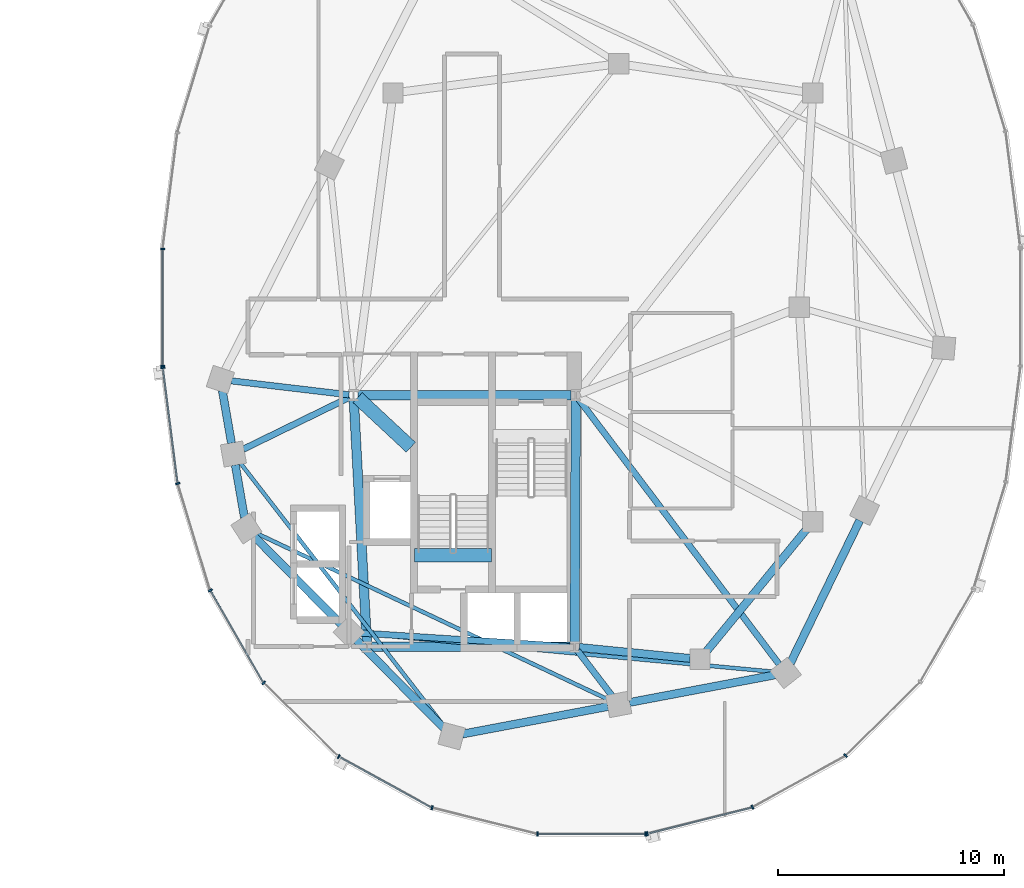
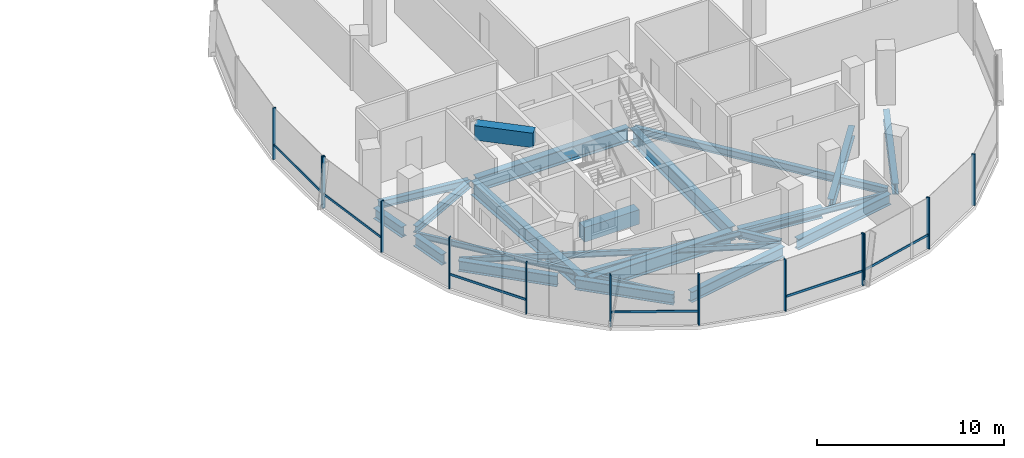
# One storey, part 6 of 22: 23 beams, 19 members, 3 elements without a shape of their own.
"""IFC4 building model written with IfcOpenShell, lengths in metres."""

from ifc_helpers import new_model, si_unit, direction, frame, origin, origin_2d, place, context, subcontext, project, spatial, rectangle, i_section, extrude, material, material_profile, profile_set, type_object, element, aggregate, save


model = new_model("IFC4")

# Units and contexts
model_context = context("Model", 3, precision=1e-05, world=origin(), true_north=direction((0.0, 1.0)))
body_context = subcontext(model_context, "Body", "Model", "MODEL_VIEW")
ifc_project = project(units=[si_unit("LENGTHUNIT", "METRE"), si_unit("AREAUNIT", "SQUARE_METRE"), si_unit("VOLUMEUNIT", "CUBIC_METRE"), si_unit("PLANEANGLEUNIT", "RADIAN"), si_unit("MASSUNIT", "GRAM", prefix="KILO"), si_unit("THERMODYNAMICTEMPERATUREUNIT", "KELVIN"), si_unit("POWERUNIT", "WATT")], contexts=[model_context])

# Site, building, storey
site_placement = place(None, origin())
site = spatial("IfcSite", under=ifc_project, at=site_placement, CompositionType="ELEMENT")
building_placement = place(site_placement, origin())
building = spatial("IfcBuilding", under=site, at=building_placement, Name="Cundina Bronze Exchange", CompositionType="ELEMENT")
storey_placement = place(building_placement, frame((0.0, 0.0, 140.39990234375)))
storey = spatial("IfcBuildingStorey", under=building, at=storey_placement, Name="L36", CompositionType="ELEMENT", Elevation=140.39990234375)

# Beams
ifc_material_1 = material(Name="Concrete C60/75", Category="concrete")
ifc_material_profile_1 = material_profile(ifc_material_1, rectangle(XDim=0.60009765625, YDim=0.949951171875, at=origin_2d()), Name="RC600X950", Category="concrete")
ifc_profile_set_1 = profile_set([ifc_material_profile_1], Name="Concrete C60/75")
beam_type_1 = type_object("IfcBeamType", Name="BM-COUP-RC950", PredefinedType="LINTEL", material=ifc_profile_set_1)
beam_1_placement = place(storey_placement, frame((24.159912109375, -10.97998046875, -0.474853515625), z_axis=(1.0, 0.0, 0.0), x_axis=(0.0, 1.0, 0.0)))
element("IfcBeam", 1, at=beam_1_placement, inside=storey, type_object=beam_type_1, Name="L36 Stair E2 Landing Header Beam", PredefinedType="LINTEL", context=body_context, shape_type="SweptSolid", body=[
    extrude(rectangle(XDim=0.60009765625, YDim=0.949951171875, at=origin_2d()), origin(), (0.0, 0.0, 1.0), 3.400146484375),
])
beam_2_placement = place(storey_placement, frame((21.6298828125, -4.0, 2.885009765625), z_axis=(0.731490439815, -0.681851696822, 0.0), x_axis=(0.681851696822, 0.731490439815, 0.0)))
element("IfcBeam", 2, at=beam_2_placement, inside=storey, type_object=beam_type_1, Name="L36 E Core Shear Coupling Lintel Beam", PredefinedType="LINTEL", context=body_context, shape_type="SweptSolid", body=[
    extrude(rectangle(XDim=0.60009765625, YDim=0.949951171875, at=origin_2d()), origin(), (0.0, 0.0, 1.0), 3.226318359375),
])
ifc_material_2 = material(Name="Steel ASTM A992 Grade 50", Category="steel")
ifc_material_profile_2 = material_profile(ifc_material_2, i_section(OverallWidth=0.280029296875, OverallDepth=0.462890625, WebThickness=0.0107421875, FlangeThickness=0.017333984375, FilletRadius=0.011962890625, at=origin_2d()), Name="W18X76", Category="steel")
ifc_profile_set_2 = profile_set([ifc_material_profile_2], Name="Steel ASTM A992 Grade 50")
beam_type_2 = type_object("IfcBeamType", Name="BM-FLR-W18A", PredefinedType="BEAM", material=ifc_profile_set_2)
beam_3_placement = place(storey_placement, frame((21.247314453125, -3.8759765625, -0.471435546875), z_axis=(-0.993036158382, 0.11780996624, 0.0), x_axis=(-0.11780996624, -0.993036158382, 0.0)))
element("IfcBeam", 3, at=beam_3_placement, inside=storey, type_object=beam_type_2, Name="L36 Leg E Chordal Floor Beam 00", PredefinedType="BEAM", context=body_context, shape_type="SweptSolid", body=[
    extrude(i_section(OverallWidth=0.280029296875, OverallDepth=0.462890625, WebThickness=0.0107421875, FlangeThickness=0.017333984375, FilletRadius=0.011962890625, at=origin_2d()), origin(), (0.0, 0.0, 1.0), 5.249267578125),
])
beam_4_placement = place(storey_placement, frame((21.2666015625, -3.989501953125, -0.471435546875), z_axis=(-0.898604300669, -0.438759969481, 0.0), x_axis=(0.438759969481, -0.898604300669, 0.0)))
element("IfcBeam", 4, at=beam_4_placement, inside=storey, type_object=beam_type_2, Name="L36 Leg E Chordal Floor Beam 01", PredefinedType="BEAM", context=body_context, shape_type="SweptSolid", body=[
    extrude(i_section(OverallWidth=0.280029296875, OverallDepth=0.462890625, WebThickness=0.0107421875, FlangeThickness=0.017333984375, FilletRadius=0.011962890625, at=origin_2d()), origin(), (0.0, 0.0, 1.0), 5.23388671875),
])
beam_5_placement = place(storey_placement, frame((31.04638671875, -15.036865234375, -0.471435546875), z_axis=(-0.99789334888, 0.064875760192, 0.0), x_axis=(-0.064875760192, -0.99789334888, 0.0)))
element("IfcBeam", 5, at=beam_5_placement, inside=storey, type_object=beam_type_2, Name="L36 Leg E Chordal Floor Beam 03", PredefinedType="BEAM", context=body_context, shape_type="SweptSolid", body=[
    extrude(i_section(OverallWidth=0.280029296875, OverallDepth=0.462890625, WebThickness=0.0107421875, FlangeThickness=0.017333984375, FilletRadius=0.011962890625, at=origin_2d()), origin(), (0.0, 0.0, 1.0), 9.328857421875),
])
beam_6_placement = place(storey_placement, frame((31.373779296875, -15.2119140625, -0.471435546875), z_axis=(0.607450107571, -0.794357832977, 0.0), x_axis=(0.794357832977, 0.607450107571, 0.0)))
element("IfcBeam", 6, at=beam_6_placement, inside=storey, type_object=beam_type_2, Name="L36 Leg E Chordal Floor Beam 05", PredefinedType="BEAM", context=body_context, shape_type="SweptSolid", body=[
    extrude(i_section(OverallWidth=0.280029296875, OverallDepth=0.462890625, WebThickness=0.0107421875, FlangeThickness=0.017333984375, FilletRadius=0.011962890625, at=origin_2d()), origin(), (0.0, 0.0, 1.0), 2.518310546875),
])
beam_7_placement = place(storey_placement, frame((31.423095703125, -4.062744140625, -0.471435546875), z_axis=(0.603103901721, -0.797662637792, 0.0), x_axis=(0.797662637792, 0.603103901721, 0.0)))
element("IfcBeam", 7, at=beam_7_placement, inside=storey, type_object=beam_type_2, Name="L36 Leg E Chordal Floor Beam 06", PredefinedType="BEAM", context=body_context, shape_type="SweptSolid", body=[
    extrude(i_section(OverallWidth=0.280029296875, OverallDepth=0.462890625, WebThickness=0.0107421875, FlangeThickness=0.017333984375, FilletRadius=0.011962890625, at=origin_2d()), origin(), (0.0, 0.0, 1.0), 14.72802734375),
])
ifc_material_profile_3 = material_profile(ifc_material_2, i_section(OverallWidth=0.172119140625, OverallDepth=0.35791015625, WebThickness=0.0078125, FlangeThickness=0.01318359375, FilletRadius=0.010009765625, at=origin_2d()), Name="W14X38", Category="steel")
ifc_profile_set_3 = profile_set([ifc_material_profile_3], Name="Steel ASTM A992 Grade 50")
beam_type_3 = type_object("IfcBeamType", Name="BM-JST-W14", PredefinedType="JOIST", material=ifc_profile_set_3)
beam_8_placement = place(storey_placement, frame((16.423583984375, -6.885986328125, -0.4189453125), z_axis=(0.61208354334, -0.790793105668, 0.0), x_axis=(0.790793105668, 0.61208354334, 0.0)))
element("IfcBeam", 8, at=beam_8_placement, inside=storey, type_object=beam_type_3, Name="L36 Leg E Lobe Floor Joist 01-04", PredefinedType="JOIST", context=body_context, shape_type="SweptSolid", body=[
    extrude(i_section(OverallWidth=0.172119140625, OverallDepth=0.35791015625, WebThickness=0.0078125, FlangeThickness=0.01318359375, FilletRadius=0.010009765625, at=origin_2d()), origin(), (0.0, 0.0, 1.0), 14.830810546875),
])
beam_9_placement = place(storey_placement, frame((17.14111328125, -10.008544921875, -0.4189453125), z_axis=(0.904074252188, -0.427375416385, 0.0), x_axis=(0.427375416385, 0.904074252188, 0.0)))
element("IfcBeam", 9, at=beam_9_placement, inside=storey, type_object=beam_type_3, Name="L36 Leg E Lobe Floor Joist 02-05", PredefinedType="JOIST", context=body_context, shape_type="SweptSolid", body=[
    extrude(i_section(OverallWidth=0.172119140625, OverallDepth=0.35791015625, WebThickness=0.0078125, FlangeThickness=0.01318359375, FilletRadius=0.010009765625, at=origin_2d()), origin(), (0.0, 0.0, 1.0), 17.274658203125),
])
beam_10_placement = place(storey_placement, frame((21.73583984375, -14.4453125, -0.4189453125), z_axis=(0.995701840093, -0.092616659595, 0.0), x_axis=(0.092616659595, 0.995701840093, 0.0)))
element("IfcBeam", 10, at=beam_10_placement, inside=storey, type_object=beam_type_3, Name="L36 Leg E Lobe Floor Joist 03-06", PredefinedType="JOIST", context=body_context, shape_type="SweptSolid", body=[
    extrude(i_section(OverallWidth=0.172119140625, OverallDepth=0.35791015625, WebThickness=0.0078125, FlangeThickness=0.01318359375, FilletRadius=0.010009765625, at=origin_2d()), origin(), (0.0, 0.0, 1.0), 18.45751953125),
])
ifc_material_profile_4 = material_profile(ifc_material_2, i_section(OverallWidth=0.35498046875, OverallDepth=0.695068359375, WebThickness=0.015380859375, FlangeThickness=0.02490234375, FilletRadius=0.01806640625, at=origin_2d()), Name="W27X146", Category="steel")
ifc_profile_set_4 = profile_set([ifc_material_profile_4], Name="Steel ASTM A992 Grade 50")
beam_type_4 = type_object("IfcBeamType", Name="BM-RING-W27", PredefinedType="USERDEFINED", material=ifc_profile_set_4)
beam_11_placement = place(storey_placement, frame((31.452880859375, -15.070068359375, -0.58740234375), z_axis=(0.995123020608, -0.098641643622, 0.0), x_axis=(0.098641643622, 0.995123020608, 0.0)))
element("IfcBeam", 11, at=beam_11_placement, inside=storey, type_object=beam_type_4, Name="L36 E Inner Structural Ring Girder 01", ObjectType="GIRDER", PredefinedType="USERDEFINED", context=body_context, shape_type="SweptSolid", body=[
    extrude(i_section(OverallWidth=0.35498046875, OverallDepth=0.695068359375, WebThickness=0.015380859375, FlangeThickness=0.02490234375, FilletRadius=0.01806640625, at=origin_2d()), origin(), (0.0, 0.0, 1.0), 4.935302734375),
])
beam_12_placement = place(storey_placement, frame((37.07763671875, -15.26123046875, -0.58740234375), z_axis=(0.633912590175, 0.77340469873, 0.0), x_axis=(-0.77340469873, 0.633912590175, 0.0)))
element("IfcBeam", 12, at=beam_12_placement, inside=storey, type_object=beam_type_4, Name="L36 E Inner Structural Ring Girder 02", ObjectType="GIRDER", PredefinedType="USERDEFINED", context=body_context, shape_type="SweptSolid", body=[
    extrude(i_section(OverallWidth=0.35498046875, OverallDepth=0.695068359375, WebThickness=0.015380859375, FlangeThickness=0.02490234375, FilletRadius=0.01806640625, at=origin_2d()), origin(), (0.0, 0.0, 1.0), 7.01123046875),
])
for number, where, z_axis, x_axis, name in (
    (13, (15.6337890625, -3.680908203125, -0.58740234375), (0.171666718895, -0.985155083032, 0.0), (0.985155083032, 0.171666718895, 0.0), "L36 E Perimeter Ring Girder 00"),
    (14, (16.208740234375, -6.980712890625, -0.58740234375), (0.171666718895, -0.985155083032, 0.0), (0.985155083032, 0.171666718895, 0.0), "L36 E Perimeter Ring Girder 01"),
):
    element("IfcBeam", number, at=place(storey_placement, frame(where, z_axis=z_axis, x_axis=x_axis)), inside=storey, type_object=beam_type_4, Name=name, ObjectType="GIRDER", PredefinedType="USERDEFINED", context=body_context, shape_type="SweptSolid", body=[
        extrude(i_section(OverallWidth=0.35498046875, OverallDepth=0.695068359375, WebThickness=0.015380859375, FlangeThickness=0.02490234375, FilletRadius=0.01806640625, at=origin_2d()), origin(), (0.0, 0.0, 1.0), 2.37353515625),
    ])
beam_13_placement = place(storey_placement, frame((17.043212890625, -10.14697265625, -0.58740234375), z_axis=(0.703230112979, -0.710962311378, 0.0), x_axis=(0.710962311378, 0.703230112979, 0.0)))
element("IfcBeam", 15, at=beam_13_placement, inside=storey, type_object=beam_type_4, Name="L36 E Perimeter Ring Girder 02", ObjectType="GIRDER", PredefinedType="USERDEFINED", context=body_context, shape_type="SweptSolid", body=[
    extrude(i_section(OverallWidth=0.35498046875, OverallDepth=0.695068359375, WebThickness=0.015380859375, FlangeThickness=0.02490234375, FilletRadius=0.01806640625, at=origin_2d()), origin(), (0.0, 0.0, 1.0), 5.493896484375),
])
beam_14_placement = place(storey_placement, frame((21.59326171875, -14.746826171875, -0.58740234375), z_axis=(0.703207895705, -0.710984286337, 0.0), x_axis=(0.710984286337, 0.703207895705, 0.0)))
element("IfcBeam", 16, at=beam_14_placement, inside=storey, type_object=beam_type_4, Name="L36 E Perimeter Ring Girder 03", ObjectType="GIRDER", PredefinedType="USERDEFINED", context=body_context, shape_type="SweptSolid", body=[
    extrude(i_section(OverallWidth=0.35498046875, OverallDepth=0.695068359375, WebThickness=0.015380859375, FlangeThickness=0.02490234375, FilletRadius=0.01806640625, at=origin_2d()), origin(), (0.0, 0.0, 1.0), 5.494140625),
])
beam_15_placement = place(storey_placement, frame((26.279541015625, -18.9091796875, -0.58740234375), z_axis=(0.982571532667, 0.185884865421, 0.0), x_axis=(-0.185884865421, 0.982571532667, 0.0)))
element("IfcBeam", 17, at=beam_15_placement, inside=storey, type_object=beam_type_4, Name="L36 E Perimeter Ring Girder 04", ObjectType="GIRDER", PredefinedType="USERDEFINED", context=body_context, shape_type="SweptSolid", body=[
    extrude(i_section(OverallWidth=0.35498046875, OverallDepth=0.695068359375, WebThickness=0.015380859375, FlangeThickness=0.02490234375, FilletRadius=0.01806640625, at=origin_2d()), origin(), (0.0, 0.0, 1.0), 6.55517578125),
])
beam_16_placement = place(storey_placement, frame((33.679443359375, -17.50927734375, -0.58740234375), z_axis=(0.982572819495, 0.185878063226, 0.0), x_axis=(-0.185878063226, 0.982572819495, 0.0)))
element("IfcBeam", 18, at=beam_16_placement, inside=storey, type_object=beam_type_4, Name="L36 E Perimeter Ring Girder 05", ObjectType="GIRDER", PredefinedType="USERDEFINED", context=body_context, shape_type="SweptSolid", body=[
    extrude(i_section(OverallWidth=0.35498046875, OverallDepth=0.695068359375, WebThickness=0.015380859375, FlangeThickness=0.02490234375, FilletRadius=0.01806640625, at=origin_2d()), origin(), (0.0, 0.0, 1.0), 6.555419921875),
])
beam_17_placement = place(storey_placement, frame((40.8134765625, -15.760986328125, -0.58740234375), z_axis=(0.437196998825, 0.89936576776, 0.0), x_axis=(-0.89936576776, 0.437196998825, 0.0)))
element("IfcBeam", 19, at=beam_17_placement, inside=storey, type_object=beam_type_4, Name="L36 E Perimeter Ring Girder 06", ObjectType="GIRDER", PredefinedType="USERDEFINED", context=body_context, shape_type="SweptSolid", body=[
    extrude(i_section(OverallWidth=0.35498046875, OverallDepth=0.695068359375, WebThickness=0.015380859375, FlangeThickness=0.02490234375, FilletRadius=0.01806640625, at=origin_2d()), origin(), (0.0, 0.0, 1.0), 7.029541015625),
])
ifc_material_profile_5 = material_profile(ifc_material_2, i_section(OverallWidth=0.41796875, OverallDepth=0.927001953125, WebThickness=0.019287109375, FlangeThickness=0.031982421875, FilletRadius=0.02392578125, at=origin_2d()), Name="W36X231", Category="steel")
ifc_profile_set_5 = profile_set([ifc_material_profile_5], Name="Steel ASTM A992 Grade 50")
beam_type_5 = type_object("IfcBeamType", Name="BM-WRN-W36B", PredefinedType="USERDEFINED", material=ifc_profile_set_5)
beam_18_placement = place(storey_placement, frame((31.095947265625, -3.89990234375, -0.703369140625), z_axis=(-1.0, 0.0, 0.0), x_axis=(0.0, -1.0, 0.0)))
element("IfcBeam", 20, at=beam_18_placement, inside=storey, type_object=beam_type_5, Name="L36 E Core Perimeter Tie Girder 1", ObjectType="GIRDER", PredefinedType="USERDEFINED", context=body_context, shape_type="SweptSolid", body=[
    extrude(i_section(OverallWidth=0.41796875, OverallDepth=0.927001953125, WebThickness=0.019287109375, FlangeThickness=0.031982421875, FilletRadius=0.02392578125, at=origin_2d()), origin(), (0.0, 0.0, 1.0), 9.44189453125),
])
beam_19_placement = place(storey_placement, frame((21.4609375, -4.103759765625, -0.703369140625), z_axis=(0.053739193498, -0.998555005537, 0.0), x_axis=(0.998555005537, 0.053739193498, 0.0)))
element("IfcBeam", 21, at=beam_19_placement, inside=storey, type_object=beam_type_5, Name="L36 E Core Perimeter Tie Girder 2", ObjectType="GIRDER", PredefinedType="USERDEFINED", context=body_context, shape_type="SweptSolid", body=[
    extrude(i_section(OverallWidth=0.41796875, OverallDepth=0.927001953125, WebThickness=0.019287109375, FlangeThickness=0.031982421875, FilletRadius=0.02392578125, at=origin_2d()), origin(), (0.0, 0.0, 1.0), 10.758056640625),
])
beam_20_placement = place(storey_placement, frame((22.25390625, -15.050048828125, -0.703369140625), z_axis=(1.0, 0.0, 0.0), x_axis=(0.0, 1.0, 0.0)))
element("IfcBeam", 22, at=beam_20_placement, inside=storey, type_object=beam_type_5, Name="L36 E Core Perimeter Tie Girder 3", ObjectType="GIRDER", PredefinedType="USERDEFINED", context=body_context, shape_type="SweptSolid", body=[
    extrude(i_section(OverallWidth=0.41796875, OverallDepth=0.927001953125, WebThickness=0.019287109375, FlangeThickness=0.031982421875, FilletRadius=0.02392578125, at=origin_2d()), origin(), (0.0, 0.0, 1.0), 8.7919921875),
])
beam_21_placement = place(storey_placement, frame((31.2509765625, -14.845947265625, -0.703369140625), z_axis=(0.004477329608, 0.99998997671, 0.0), x_axis=(-0.99998997671, 0.004477329608, 0.0)))
element("IfcBeam", 23, at=beam_21_placement, inside=storey, type_object=beam_type_5, Name="L36 E Core Perimeter Tie Girder 4", ObjectType="GIRDER", PredefinedType="USERDEFINED", context=body_context, shape_type="SweptSolid", body=[
    extrude(i_section(OverallWidth=0.41796875, OverallDepth=0.927001953125, WebThickness=0.019287109375, FlangeThickness=0.031982421875, FilletRadius=0.02392578125, at=origin_2d()), origin(), (0.0, 0.0, 1.0), 10.741943359375),
])

# Curtain wall, members
ifc_material_3 = material(Name="Anodised Bronze Aluminium 6063-T6", Category="aluminium")
curtain_wall_type = type_object("IfcCurtainWallType", Name="CWS-WST-PIN", PredefinedType="NOTDEFINED", material=ifc_material_3)
curtain_wall_1_placement = place(storey_placement, origin())
curtain_wall_1 = element("IfcCurtainWall", 24, at=curtain_wall_1_placement, inside=storey, type_object=curtain_wall_type, Name="L36 CW-04 Curtain Wall Run CWR-L36-E2", PredefinedType="NOTDEFINED")
ifc_material_profile_6 = material_profile(ifc_material_3, rectangle(XDim=0.070068359375, YDim=0.18994140625, at=origin_2d()), Name="AL70X190", Category="aluminium")
ifc_profile_set_6 = profile_set([ifc_material_profile_6], Name="Anodised Bronze Aluminium 6063-T6")
member_type_1 = type_object("IfcMemberType", Name="CWM-MUL-190", PredefinedType="MULLION", material=ifc_profile_set_6)
member_1_placement = place(storey_placement, frame((12.992919921875, 2.593017578125, 0.0), z_axis=(0.0, 0.0, 1.0), x_axis=(0.0, -1.0, 0.0)))
member_1 = element("IfcMember", 25, at=member_1_placement, type_object=member_type_1, Name="CW-04 Mullion 7", PredefinedType="MULLION", context=body_context, shape_type="SweptSolid", body=[
    extrude(rectangle(XDim=0.070068359375, YDim=0.18994140625, at=origin_2d()), origin(), (0.0, 0.0, 1.0), 3.360107421875),
])
member_2_placement = place(storey_placement, frame((12.992919921875, -2.593017578125, 0.0), z_axis=(0.0, 0.0, 1.0), x_axis=(0.0, -1.0, 0.0)))
member_2 = element("IfcMember", 26, at=member_2_placement, type_object=member_type_1, Name="CW-04 End Mullion", PredefinedType="MULLION", context=body_context, shape_type="SweptSolid", body=[
    extrude(rectangle(XDim=0.070068359375, YDim=0.18994140625, at=origin_2d()), origin(), (0.0, 0.0, 1.0), 3.360107421875),
])

curtain_wall_2_placement = place(storey_placement, origin())
curtain_wall_2 = element("IfcCurtainWall", 27, at=curtain_wall_2_placement, inside=storey, type_object=curtain_wall_type, Name="L36 CW-04 Curtain Wall Run CWR-L36-E3", PredefinedType="NOTDEFINED")
member_3_placement = place(storey_placement, frame((12.998291015625, -2.676025390625, 0.0), z_axis=(0.0, 0.0, 1.0), x_axis=(0.126545236492, -0.991960837494, 0.0)))
member_3 = element("IfcMember", 28, at=member_3_placement, type_object=member_type_1, Name="CW-04 Mullion 1", PredefinedType="MULLION", context=body_context, shape_type="SweptSolid", body=[
    extrude(rectangle(XDim=0.070068359375, YDim=0.18994140625, at=origin_2d()), origin(), (0.0, 0.0, 1.0), 3.360107421875),
])
member_4_placement = place(storey_placement, frame((13.6591796875, -7.80859375, 0.0), z_axis=(0.0, 0.0, 1.0), x_axis=(0.290034140915, -0.957016299288, 0.0)))
member_4 = element("IfcMember", 29, at=member_4_placement, type_object=member_type_1, Name="CW-04 Mullion 2", PredefinedType="MULLION", context=body_context, shape_type="SweptSolid", body=[
    extrude(rectangle(XDim=0.070068359375, YDim=0.18994140625, at=origin_2d()), origin(), (0.0, 0.0, 1.0), 3.360107421875),
])
member_5_placement = place(storey_placement, frame((15.10205078125, -12.541259765625, 0.0), z_axis=(0.0, 0.0, 1.0), x_axis=(0.498487739754, -0.866896748936, 0.0)))
member_5 = element("IfcMember", 30, at=member_5_placement, type_object=member_type_1, Name="CW-04 Mullion 3", PredefinedType="MULLION", context=body_context, shape_type="SweptSolid", body=[
    extrude(rectangle(XDim=0.070068359375, YDim=0.18994140625, at=origin_2d()), origin(), (0.0, 0.0, 1.0), 3.360107421875),
])
member_6_placement = place(storey_placement, frame((17.469482421875, -16.640380859375, 0.0), z_axis=(0.0, 0.0, 1.0), x_axis=(0.712026045991, -0.702153052995, 0.0)))
member_6 = element("IfcMember", 31, at=member_6_placement, type_object=member_type_1, Name="CW-04 Mullion 4", PredefinedType="MULLION", context=body_context, shape_type="SweptSolid", body=[
    extrude(rectangle(XDim=0.070068359375, YDim=0.18994140625, at=origin_2d()), origin(), (0.0, 0.0, 1.0), 3.360107421875),
])
member_7_placement = place(storey_placement, frame((20.79345703125, -19.906005859375, 0.0), z_axis=(0.0, 0.0, 1.0), x_axis=(0.875885937035, -0.482518212408, 0.0)))
member_7 = element("IfcMember", 32, at=member_7_placement, type_object=member_type_1, Name="CW-04 Mullion 5", PredefinedType="MULLION", context=body_context, shape_type="SweptSolid", body=[
    extrude(rectangle(XDim=0.070068359375, YDim=0.18994140625, at=origin_2d()), origin(), (0.0, 0.0, 1.0), 3.360107421875),
])
member_8_placement = place(storey_placement, frame((24.932373046875, -22.17626953125, 0.0), z_axis=(0.0, 0.0, 1.0), x_axis=(0.970084240161, -0.242768546132, 0.0)))
member_8 = element("IfcMember", 33, at=member_8_placement, type_object=member_type_1, Name="CW-04 Mullion 6", PredefinedType="MULLION", context=body_context, shape_type="SweptSolid", body=[
    extrude(rectangle(XDim=0.070068359375, YDim=0.18994140625, at=origin_2d()), origin(), (0.0, 0.0, 1.0), 3.360107421875),
])
member_9_placement = place(storey_placement, frame((29.60595703125, -23.3369140625, 0.0), z_axis=(0.0, 0.0, 1.0), x_axis=(1.0, 0.0, 0.0)))
member_9 = element("IfcMember", 34, at=member_9_placement, type_object=member_type_1, Name="CW-04 Mullion 7", PredefinedType="MULLION", context=body_context, shape_type="SweptSolid", body=[
    extrude(rectangle(XDim=0.070068359375, YDim=0.18994140625, at=origin_2d()), origin(), (0.0, 0.0, 1.0), 3.360107421875),
])
member_10_placement = place(storey_placement, frame((34.39404296875, -23.3369140625, 0.0), z_axis=(0.0, 0.0, 1.0), x_axis=(1.0, 0.0, 0.0)))
member_10 = element("IfcMember", 35, at=member_10_placement, type_object=member_type_1, Name="CW-04 End Mullion", PredefinedType="MULLION", context=body_context, shape_type="SweptSolid", body=[
    extrude(rectangle(XDim=0.070068359375, YDim=0.18994140625, at=origin_2d()), origin(), (0.0, 0.0, 1.0), 3.360107421875),
])

curtain_wall_3_placement = place(storey_placement, origin())
curtain_wall_3 = element("IfcCurtainWall", 36, at=curtain_wall_3_placement, inside=storey, type_object=curtain_wall_type, Name="L36 CW-04 Curtain Wall Run CWR-L36-E4", PredefinedType="NOTDEFINED")
member_11_placement = place(storey_placement, frame((34.462646484375, -23.32861328125, 0.0), z_axis=(0.0, 0.0, 1.0), x_axis=(0.970084240161, 0.242768546132, 0.0)))
member_11 = element("IfcMember", 37, at=member_11_placement, type_object=member_type_1, Name="CW-04 Mullion 1", PredefinedType="MULLION", context=body_context, shape_type="SweptSolid", body=[
    extrude(rectangle(XDim=0.070068359375, YDim=0.18994140625, at=origin_2d()), origin(), (0.0, 0.0, 1.0), 3.360107421875),
])
member_12_placement = place(storey_placement, frame((39.13037109375, -22.151611328125, 0.0), z_axis=(0.0, 0.0, 1.0), x_axis=(0.875885937035, 0.482518212408, 0.0)))
member_12 = element("IfcMember", 38, at=member_12_placement, type_object=member_type_1, Name="CW-04 Mullion 2", PredefinedType="MULLION", context=body_context, shape_type="SweptSolid", body=[
    extrude(rectangle(XDim=0.070068359375, YDim=0.18994140625, at=origin_2d()), origin(), (0.0, 0.0, 1.0), 3.360107421875),
])
member_13_placement = place(storey_placement, frame((43.259033203125, -19.86669921875, 0.0), z_axis=(0.0, 0.0, 1.0), x_axis=(0.712026045991, 0.702153052995, 0.0)))
member_13 = element("IfcMember", 39, at=member_13_placement, type_object=member_type_1, Name="CW-04 Mullion 3", PredefinedType="MULLION", context=body_context, shape_type="SweptSolid", body=[
    extrude(rectangle(XDim=0.070068359375, YDim=0.18994140625, at=origin_2d()), origin(), (0.0, 0.0, 1.0), 3.360107421875),
])

# Member
ifc_material_profile_7 = material_profile(ifc_material_3, rectangle(XDim=0.06494140625, YDim=0.14990234375, at=origin_2d()), Name="AL65X150", Category="aluminium")
ifc_profile_set_7 = profile_set([ifc_material_profile_7], Name="Anodised Bronze Aluminium 6063-T6")
member_type_2 = type_object("IfcMemberType", Name="CWM-TRN-150", PredefinedType="USERDEFINED", material=ifc_profile_set_7)
member_14_placement = place(storey_placement, frame((12.992919921875, 2.554443359375, 0.920166015625), z_axis=(0.0, -1.0, 0.0), x_axis=(1.0, 0.0, 0.0)))
member_14 = element("IfcMember", 40, at=member_14_placement, type_object=member_type_2, Name="CW-04 Spandrel Transom 7", ObjectType="TRANSOM", PredefinedType="USERDEFINED", context=body_context, shape_type="SweptSolid", body=[
    extrude(rectangle(XDim=0.06494140625, YDim=0.14990234375, at=origin_2d()), origin(), (0.0, 0.0, 1.0), 5.10888671875),
])

aggregate(curtain_wall_1, [member_1, member_2, member_14])

member_15_placement = place(storey_placement, frame((13.003173828125, -2.71435546875, 0.920166015625), z_axis=(0.12646340362, -0.991971273548, 0.0), x_axis=(0.991971273548, 0.12646340362, 0.0)))
member_15 = element("IfcMember", 41, at=member_15_placement, type_object=member_type_2, Name="CW-04 Spandrel Transom 1", ObjectType="TRANSOM", PredefinedType="USERDEFINED", context=body_context, shape_type="SweptSolid", body=[
    extrude(rectangle(XDim=0.06494140625, YDim=0.14990234375, at=origin_2d()), origin(), (0.0, 0.0, 1.0), 5.0966796875),
])

member_16_placement = place(storey_placement, frame((15.121337890625, -12.574462890625, 0.920166015625), z_axis=(0.498479967047, -0.866901218394, 0.0), x_axis=(0.866901218394, 0.498479967047, 0.0)))
member_16 = element("IfcMember", 42, at=member_16_placement, type_object=member_type_2, Name="CW-04 Spandrel Transom 3", ObjectType="TRANSOM", PredefinedType="USERDEFINED", context=body_context, shape_type="SweptSolid", body=[
    extrude(rectangle(XDim=0.06494140625, YDim=0.14990234375, at=origin_2d()), origin(), (0.0, 0.0, 1.0), 4.66845703125),
])

member_17_placement = place(storey_placement, frame((20.8271484375, -19.924560546875, 0.920166015625), z_axis=(0.875878981549, -0.482530838062, 0.0), x_axis=(0.482530838062, 0.875878981549, 0.0)))
member_17 = element("IfcMember", 43, at=member_17_placement, type_object=member_type_2, Name="CW-04 Spandrel Transom 5", ObjectType="TRANSOM", PredefinedType="USERDEFINED", context=body_context, shape_type="SweptSolid", body=[
    extrude(rectangle(XDim=0.06494140625, YDim=0.14990234375, at=origin_2d()), origin(), (0.0, 0.0, 1.0), 4.65380859375),
])

member_18_placement = place(storey_placement, frame((29.64453125, -23.3369140625, 0.920166015625), z_axis=(1.0, 0.0, 0.0), x_axis=(0.0, 1.0, 0.0)))
member_18 = element("IfcMember", 44, at=member_18_placement, type_object=member_type_2, Name="CW-04 Spandrel Transom 7", ObjectType="TRANSOM", PredefinedType="USERDEFINED", context=body_context, shape_type="SweptSolid", body=[
    extrude(rectangle(XDim=0.06494140625, YDim=0.14990234375, at=origin_2d()), origin(), (0.0, 0.0, 1.0), 4.7109375),
])

aggregate(curtain_wall_2, [member_3, member_15, member_4, member_5, member_16, member_6, member_7, member_17, member_8, member_9, member_10, member_18])

member_19_placement = place(storey_placement, frame((34.5, -23.319091796875, 0.920166015625), z_axis=(0.970100130035, 0.242705042606, 0.0), x_axis=(-0.242705042606, 0.970100130035, 0.0)))
member_19 = element("IfcMember", 45, at=member_19_placement, type_object=member_type_2, Name="CW-04 Spandrel Transom 1", ObjectType="TRANSOM", PredefinedType="USERDEFINED", context=body_context, shape_type="SweptSolid", body=[
    extrude(rectangle(XDim=0.06494140625, YDim=0.14990234375, at=origin_2d()), origin(), (0.0, 0.0, 1.0), 4.746826171875),
])

aggregate(curtain_wall_3, [member_11, member_19, member_12, member_13])

save(model, "model.ifc")
